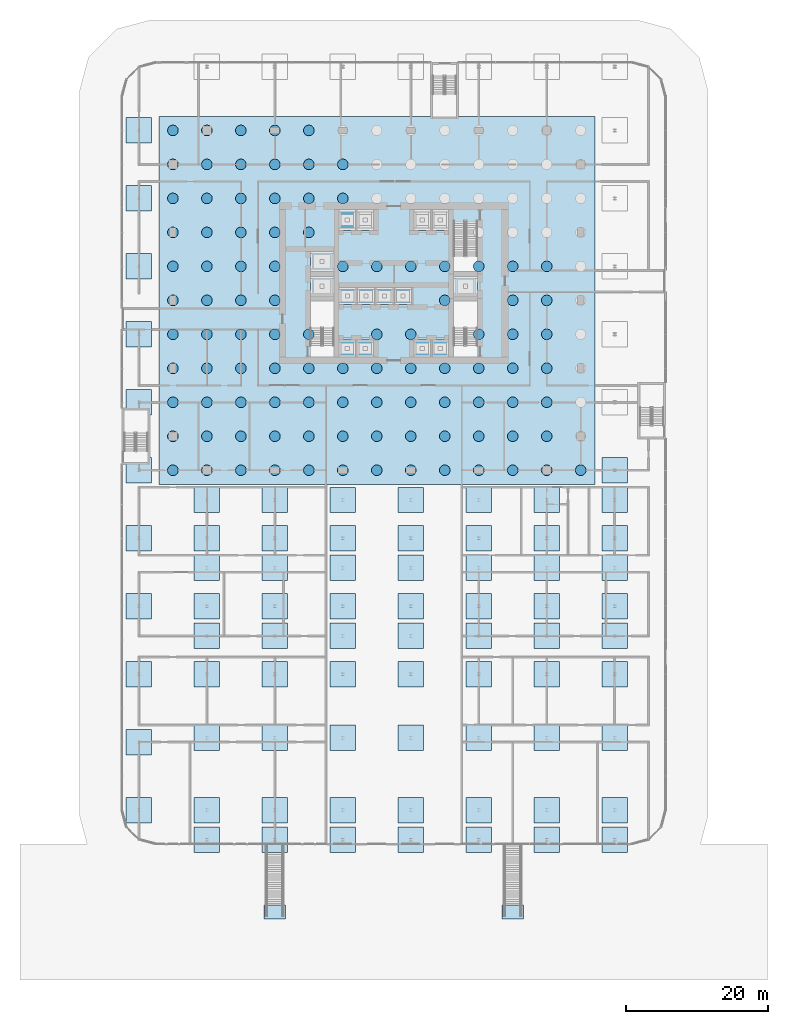
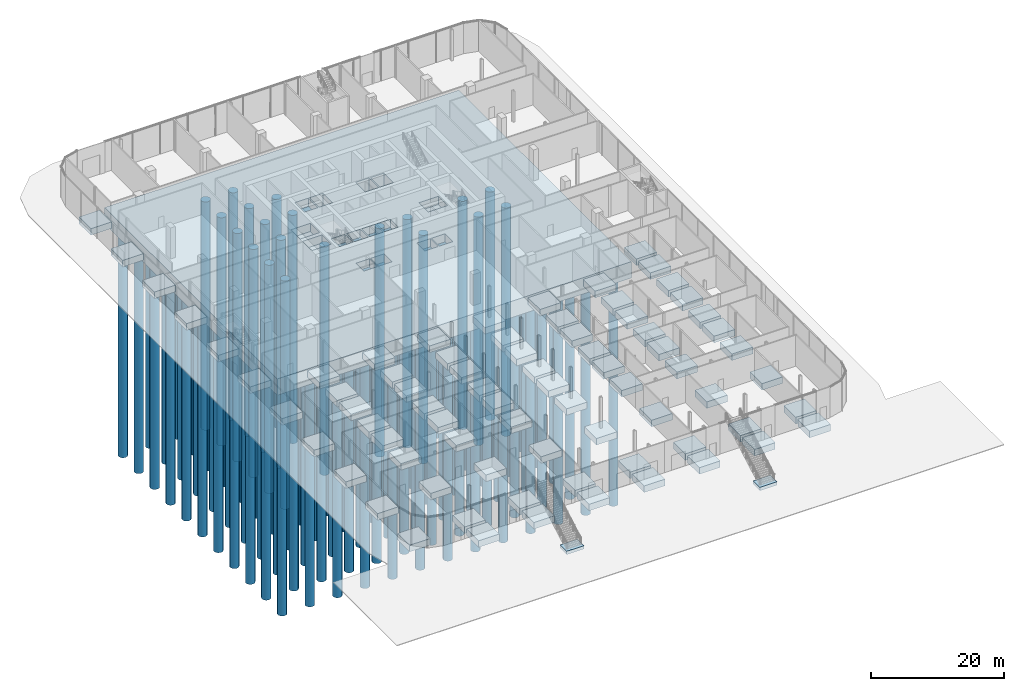
# One storey, part 1 of 44: 99 piles, 90 footings.
"""IFC4 building model written with IfcOpenShell, lengths in metres."""

from ifc_helpers import new_model, si_unit, direction, frame, origin, origin_2d, place, context, subcontext, project, spatial, polyline, rectangle, circle, outline, extrude, material, layer, layer_set, material_profile, profile_set, type_object, element, save


model = new_model("IFC4")

# Units and contexts
model_context = context("Model", 3, precision=1e-05, world=origin(), true_north=direction((0.0, 1.0)))
body_context = subcontext(model_context, "Body", "Model", "MODEL_VIEW")
ifc_project = project(units=[si_unit("LENGTHUNIT", "METRE"), si_unit("AREAUNIT", "SQUARE_METRE"), si_unit("VOLUMEUNIT", "CUBIC_METRE"), si_unit("PLANEANGLEUNIT", "RADIAN"), si_unit("MASSUNIT", "GRAM", prefix="KILO")], contexts=[model_context])

# Site, building, storey
site_placement = place(None, origin())
site = spatial("IfcSite", under=ifc_project, at=site_placement, CompositionType="ELEMENT")
building_placement = place(site_placement, origin())
building = spatial("IfcBuilding", under=site, at=building_placement, Name="Madar Terraces", CompositionType="ELEMENT")
storey_placement = place(building_placement, origin())
storey = spatial("IfcBuildingStorey", under=building, at=storey_placement, Name="L00", CompositionType="ELEMENT", Elevation=0.0)

# Piles
ifc_material_1 = material(Name="Concrete C40/50", Category="concrete")
ifc_material_profile = material_profile(ifc_material_1, circle(Radius=0.75, at=origin_2d()), Name="BP1 bored pile 1500")
ifc_profile_set = profile_set([ifc_material_profile], Name="Concrete C40/50")
pile_type = type_object("IfcPileType", Name="BP1 bored pile 1500", PredefinedType="BORED", material=ifc_profile_set)
for number, where, z_axis, x_axis, name in (
    (1, (0.0, 0.0, -3.300048828125), (0.0, 0.0, -1.0), (1.0, 0.0, 0.0), "Bored pile"),
    (2, (4.800048828125, 0.0, -3.300048828125), (0.0, 0.0, -1.0), (1.0, 0.0, 0.0), "Bored pile"),
    (3, (9.60009765625, 0.0, -3.300048828125), (0.0, 0.0, -1.0), (1.0, 0.0, 0.0), "Bored pile"),
    (4, (14.39990234375, 0.0, -3.300048828125), (0.0, 0.0, -1.0), (1.0, 0.0, 0.0), "Bored pile"),
    (5, (19.199951171875, 0.0, -3.300048828125), (0.0, 0.0, -1.0), (1.0, 0.0, 0.0), "Bored pile"),
    (6, (24.0, 0.0, -3.300048828125), (0.0, 0.0, -1.0), (1.0, 0.0, 0.0), "Bored pile"),
    (7, (28.800048828125, 0.0, -3.300048828125), (0.0, 0.0, -1.0), (1.0, 0.0, 0.0), "Bored pile"),
    (8, (33.60009765625, 0.0, -3.300048828125), (0.0, 0.0, -1.0), (1.0, 0.0, 0.0), "Bored pile"),
    (9, (38.39990234375, 0.0, -3.300048828125), (0.0, 0.0, -1.0), (1.0, 0.0, 0.0), "Bored pile"),
    (10, (43.199951171875, 0.0, -3.300048828125), (0.0, 0.0, -1.0), (1.0, 0.0, 0.0), "Bored pile"),
    (11, (48.0, 0.0, -3.300048828125), (0.0, 0.0, -1.0), (1.0, 0.0, 0.0), "Bored pile"),
    (12, (52.800048828125, 0.0, -3.300048828125), (0.0, 0.0, -1.0), (1.0, 0.0, 0.0), "Bored pile"),
    (13, (57.60009765625, 0.0, -3.300048828125), (0.0, 0.0, -1.0), (1.0, 0.0, 0.0), "Bored pile"),
    (14, (0.0, 4.800048828125, -3.300048828125), (0.0, 0.0, -1.0), (1.0, 0.0, 0.0), "Bored pile"),
    (15, (4.800048828125, 4.800048828125, -3.300048828125), (0.0, 0.0, -1.0), (1.0, 0.0, 0.0), "Bored pile"),
    (16, (9.60009765625, 4.800048828125, -3.300048828125), (0.0, 0.0, -1.0), (1.0, 0.0, 0.0), "Bored pile"),
    (17, (14.39990234375, 4.800048828125, -3.300048828125), (0.0, 0.0, -1.0), (1.0, 0.0, 0.0), "Bored pile"),
    (18, (19.199951171875, 4.800048828125, -3.300048828125), (0.0, 0.0, -1.0), (1.0, 0.0, 0.0), "Bored pile"),
    (19, (24.0, 4.800048828125, -3.300048828125), (0.0, 0.0, -1.0), (1.0, 0.0, 0.0), "Bored pile"),
    (20, (28.800048828125, 4.800048828125, -3.300048828125), (0.0, 0.0, -1.0), (1.0, 0.0, 0.0), "Bored pile"),
    (21, (33.60009765625, 4.800048828125, -3.300048828125), (0.0, 0.0, -1.0), (1.0, 0.0, 0.0), "Bored pile"),
    (22, (38.39990234375, 4.800048828125, -3.300048828125), (0.0, 0.0, -1.0), (1.0, 0.0, 0.0), "Bored pile"),
    (23, (43.199951171875, 4.800048828125, -3.300048828125), (0.0, 0.0, -1.0), (1.0, 0.0, 0.0), "Bored pile"),
    (24, (48.0, 4.800048828125, -3.300048828125), (0.0, 0.0, -1.0), (1.0, 0.0, 0.0), "Bored pile"),
    (25, (52.800048828125, 4.800048828125, -3.300048828125), (0.0, 0.0, -1.0), (1.0, 0.0, 0.0), "Bored pile"),
    (26, (0.0, 9.60009765625, -3.300048828125), (0.0, 0.0, -1.0), (1.0, 0.0, 0.0), "Bored pile"),
    (27, (4.800048828125, 9.60009765625, -3.300048828125), (0.0, 0.0, -1.0), (1.0, 0.0, 0.0), "Bored pile"),
    (28, (9.60009765625, 9.60009765625, -3.300048828125), (0.0, 0.0, -1.0), (1.0, 0.0, 0.0), "Bored pile"),
    (29, (14.39990234375, 9.60009765625, -3.300048828125), (0.0, 0.0, -1.0), (1.0, 0.0, 0.0), "Bored pile"),
    (30, (19.199951171875, 9.60009765625, -3.300048828125), (0.0, 0.0, -1.0), (1.0, 0.0, 0.0), "Bored pile"),
    (31, (24.0, 9.60009765625, -3.300048828125), (0.0, 0.0, -1.0), (1.0, 0.0, 0.0), "Bored pile"),
    (32, (28.800048828125, 9.60009765625, -3.300048828125), (0.0, 0.0, -1.0), (1.0, 0.0, 0.0), "Bored pile"),
    (33, (33.60009765625, 9.60009765625, -3.300048828125), (0.0, 0.0, -1.0), (1.0, 0.0, 0.0), "Bored pile"),
    (34, (38.39990234375, 9.60009765625, -3.300048828125), (0.0, 0.0, -1.0), (1.0, 0.0, 0.0), "Bored pile"),
    (35, (43.199951171875, 9.60009765625, -3.300048828125), (0.0, 0.0, -1.0), (1.0, 0.0, 0.0), "Bored pile"),
    (36, (48.0, 9.60009765625, -3.300048828125), (0.0, 0.0, -1.0), (1.0, 0.0, 0.0), "Bored pile"),
    (37, (52.800048828125, 9.60009765625, -3.300048828125), (0.0, 0.0, -1.0), (1.0, 0.0, 0.0), "Bored pile"),
    (38, (0.0, 14.39990234375, -3.300048828125), (0.0, 0.0, -1.0), (1.0, 0.0, 0.0), "Bored pile"),
    (39, (4.800048828125, 14.39990234375, -3.300048828125), (0.0, 0.0, -1.0), (1.0, 0.0, 0.0), "Bored pile"),
    (40, (9.60009765625, 14.39990234375, -3.300048828125), (0.0, 0.0, -1.0), (1.0, 0.0, 0.0), "Bored pile"),
    (41, (14.39990234375, 14.39990234375, -3.300048828125), (0.0, 0.0, -1.0), (1.0, 0.0, 0.0), "Bored pile"),
    (42, (19.199951171875, 14.39990234375, -3.300048828125), (0.0, 0.0, -1.0), (1.0, 0.0, 0.0), "Bored pile"),
    (43, (24.0, 14.39990234375, -3.300048828125), (0.0, 0.0, -1.0), (1.0, 0.0, 0.0), "Bored pile"),
    (44, (28.800048828125, 14.39990234375, -3.300048828125), (0.0, 0.0, -1.0), (1.0, 0.0, 0.0), "Bored pile"),
    (45, (33.60009765625, 14.39990234375, -3.300048828125), (0.0, 0.0, -1.0), (1.0, 0.0, 0.0), "Bored pile"),
    (46, (38.39990234375, 14.39990234375, -3.300048828125), (0.0, 0.0, -1.0), (1.0, 0.0, 0.0), "Bored pile"),
    (47, (43.199951171875, 14.39990234375, -3.300048828125), (0.0, 0.0, -1.0), (1.0, 0.0, 0.0), "Bored pile"),
    (48, (48.0, 14.39990234375, -3.300048828125), (0.0, 0.0, -1.0), (1.0, 0.0, 0.0), "Bored pile"),
    (49, (52.800048828125, 14.39990234375, -3.300048828125), (0.0, 0.0, -1.0), (1.0, 0.0, 0.0), "Bored pile"),
    (50, (0.0, 19.199951171875, -3.300048828125), (0.0, 0.0, -1.0), (1.0, 0.0, 0.0), "Bored pile"),
    (51, (4.800048828125, 19.199951171875, -3.300048828125), (0.0, 0.0, -1.0), (1.0, 0.0, 0.0), "Bored pile"),
    (52, (9.60009765625, 19.199951171875, -3.300048828125), (0.0, 0.0, -1.0), (1.0, 0.0, 0.0), "Bored pile"),
    (53, (14.39990234375, 19.199951171875, -3.300048828125), (0.0, 0.0, -1.0), (1.0, 0.0, 0.0), "Bored pile"),
    (54, (19.199951171875, 19.199951171875, -3.300048828125), (0.0, 0.0, -1.0), (1.0, 0.0, 0.0), "Bored pile"),
    (55, (28.800048828125, 19.199951171875, -3.300048828125), (0.0, 0.0, -1.0), (1.0, 0.0, 0.0), "Bored pile"),
    (56, (33.60009765625, 19.199951171875, -3.300048828125), (0.0, 0.0, -1.0), (1.0, 0.0, 0.0), "Bored pile"),
    (57, (43.199951171875, 19.199951171875, -3.300048828125), (0.0, 0.0, -1.0), (1.0, 0.0, 0.0), "Bored pile"),
    (58, (48.0, 19.199951171875, -3.300048828125), (0.0, 0.0, -1.0), (1.0, 0.0, 0.0), "Bored pile"),
    (59, (52.800048828125, 19.199951171875, -3.300048828125), (0.0, 0.0, -1.0), (1.0, 0.0, 0.0), "Bored pile"),
    (60, (0.0, 24.0, -3.300048828125), (0.0, 0.0, -1.0), (1.0, 0.0, 0.0), "Bored pile"),
    (61, (4.800048828125, 24.0, -3.300048828125), (0.0, 0.0, -1.0), (1.0, 0.0, 0.0), "Bored pile"),
    (62, (9.60009765625, 24.0, -3.300048828125), (0.0, 0.0, -1.0), (1.0, 0.0, 0.0), "Bored pile"),
    (63, (14.39990234375, 24.0, -3.300048828125), (0.0, 0.0, -1.0), (1.0, 0.0, 0.0), "Bored pile"),
    (64, (38.39990234375, 24.0, -3.300048828125), (0.0, 0.0, -1.0), (1.0, 0.0, 0.0), "Bored pile"),
    (65, (48.0, 24.0, -3.300048828125), (0.0, 0.0, -1.0), (1.0, 0.0, 0.0), "Bored pile"),
    (66, (52.800048828125, 24.0, -3.300048828125), (0.0, 0.0, -1.0), (1.0, 0.0, 0.0), "Bored pile"),
    (67, (0.0, 28.800048828125, -3.300048828125), (0.0, 0.0, -1.0), (1.0, 0.0, 0.0), "Bored pile"),
    (68, (4.800048828125, 28.800048828125, -3.300048828125), (0.0, 0.0, -1.0), (1.0, 0.0, 0.0), "Bored pile"),
    (69, (9.60009765625, 28.800048828125, -3.300048828125), (0.0, 0.0, -1.0), (1.0, 0.0, 0.0), "Bored pile"),
    (70, (14.39990234375, 28.800048828125, -3.300048828125), (0.0, 0.0, -1.0), (1.0, 0.0, 0.0), "Bored pile"),
    (71, (24.0, 28.800048828125, -3.300048828125), (0.0, 0.0, -1.0), (1.0, 0.0, 0.0), "Bored pile"),
    (72, (28.800048828125, 28.800048828125, -3.300048828125), (0.0, 0.0, -1.0), (1.0, 0.0, 0.0), "Bored pile"),
    (73, (33.60009765625, 28.800048828125, -3.300048828125), (0.0, 0.0, -1.0), (1.0, 0.0, 0.0), "Bored pile"),
    (74, (38.39990234375, 28.800048828125, -3.300048828125), (0.0, 0.0, -1.0), (1.0, 0.0, 0.0), "Bored pile"),
    (75, (43.199951171875, 28.800048828125, -3.300048828125), (0.0, 0.0, -1.0), (1.0, 0.0, 0.0), "Bored pile"),
    (76, (48.0, 28.800048828125, -3.300048828125), (0.0, 0.0, -1.0), (1.0, 0.0, 0.0), "Bored pile"),
    (77, (52.800048828125, 28.800048828125, -3.300048828125), (0.0, 0.0, -1.0), (1.0, 0.0, 0.0), "Bored pile"),
    (78, (0.0, 33.60009765625, -3.300048828125), (0.0, 0.0, -1.0), (1.0, 0.0, 0.0), "Bored pile"),
    (79, (4.800048828125, 33.60009765625, -3.300048828125), (0.0, 0.0, -1.0), (1.0, 0.0, 0.0), "Bored pile"),
    (80, (9.60009765625, 33.60009765625, -3.300048828125), (0.0, 0.0, -1.0), (1.0, 0.0, 0.0), "Bored pile"),
    (81, (14.39990234375, 33.60009765625, -3.300048828125), (0.0, 0.0, -1.0), (1.0, 0.0, 0.0), "Bored pile"),
    (82, (19.199951171875, 33.60009765625, -3.300048828125), (0.0, 0.0, -1.0), (1.0, 0.0, 0.0), "Bored pile"),
    (83, (0.0, 38.39990234375, -3.300048828125), (0.0, 0.0, -1.0), (1.0, 0.0, 0.0), "Bored pile"),
    (84, (4.800048828125, 38.39990234375, -3.300048828125), (0.0, 0.0, -1.0), (1.0, 0.0, 0.0), "Bored pile"),
    (85, (9.60009765625, 38.39990234375, -3.300048828125), (0.0, 0.0, -1.0), (1.0, 0.0, 0.0), "Bored pile"),
    (86, (14.39990234375, 38.39990234375, -3.300048828125), (0.0, 0.0, -1.0), (1.0, 0.0, 0.0), "Bored pile"),
    (87, (19.199951171875, 38.39990234375, -3.300048828125), (0.0, 0.0, -1.0), (1.0, 0.0, 0.0), "Bored pile"),
    (88, (24.0, 38.39990234375, -3.300048828125), (0.0, 0.0, -1.0), (1.0, 0.0, 0.0), "Bored pile"),
    (89, (0.0, 43.199951171875, -3.300048828125), (0.0, 0.0, -1.0), (1.0, 0.0, 0.0), "Bored pile"),
    (90, (4.800048828125, 43.199951171875, -3.300048828125), (0.0, 0.0, -1.0), (1.0, 0.0, 0.0), "Bored pile"),
    (91, (9.60009765625, 43.199951171875, -3.300048828125), (0.0, 0.0, -1.0), (1.0, 0.0, 0.0), "Bored pile"),
    (92, (14.39990234375, 43.199951171875, -3.300048828125), (0.0, 0.0, -1.0), (1.0, 0.0, 0.0), "Bored pile"),
    (93, (19.199951171875, 43.199951171875, -3.300048828125), (0.0, 0.0, -1.0), (1.0, 0.0, 0.0), "Bored pile"),
    (94, (24.0, 43.199951171875, -3.300048828125), (0.0, 0.0, -1.0), (1.0, 0.0, 0.0), "Bored pile"),
    (95, (0.0, 48.0, -3.300048828125), (0.0, 0.0, -1.0), (1.0, 0.0, 0.0), "Bored pile"),
    (96, (4.800048828125, 48.0, -3.300048828125), (0.0, 0.0, -1.0), (1.0, 0.0, 0.0), "Bored pile"),
    (97, (9.60009765625, 48.0, -3.300048828125), (0.0, 0.0, -1.0), (1.0, 0.0, 0.0), "Bored pile"),
    (98, (14.39990234375, 48.0, -3.300048828125), (0.0, 0.0, -1.0), (1.0, 0.0, 0.0), "Bored pile"),
    (99, (19.199951171875, 48.0, -3.300048828125), (0.0, 0.0, -1.0), (1.0, 0.0, 0.0), "Bored pile"),
):
    element("IfcPile", number, at=place(storey_placement, frame(where, z_axis=z_axis, x_axis=x_axis)), inside=storey, type_object=pile_type, Name=name, PredefinedType="BORED", context=body_context, shape_type="SweptSolid", body=[
        extrude(circle(Radius=0.75, at=origin_2d()), origin(), (0.0, 0.0, 1.0), 42.0),
    ])

# Footings
ifc_material_2 = material(Name="Concrete C30/37", Category="concrete")
footing_type_1 = type_object("IfcFootingType", Name="Cascade stair base footing 3000 x 2000", PredefinedType="PAD_FOOTING", material=ifc_material_2)
footing_1_placement = place(storey_placement, frame((0.0, 0.0, -0.60009765625)))
element("IfcFooting", 100, at=footing_1_placement, inside=storey, type_object=footing_type_1, Name="Cascade stair base footing", PredefinedType="PAD_FOOTING", context=body_context, shape_type="SweptSolid", body=[
    extrude(outline(polyline([(15.89990234375, -63.39990234375), (15.89990234375, -61.39990234375), (12.89990234375, -61.39990234375), (12.89990234375, -63.39990234375), (15.89990234375, -63.39990234375)])), origin(), (0.0, 0.0, 1.0), 0.60009765625),
])
footing_2_placement = place(storey_placement, frame((0.0, 0.0, -0.60009765625)))
element("IfcFooting", 101, at=footing_2_placement, inside=storey, type_object=footing_type_1, Name="Cascade stair base footing", PredefinedType="PAD_FOOTING", context=body_context, shape_type="SweptSolid", body=[
    extrude(outline(polyline([(49.5, -63.39990234375), (49.5, -61.39990234375), (46.5, -61.39990234375), (46.5, -63.39990234375), (49.5, -63.39990234375)])), origin(), (0.0, 0.0, 1.0), 0.60009765625),
])
ifc_material_3 = material(Name="Concrete C40/50", Category="concrete")
ifc_layer_1 = layer(ifc_material_3, 1.5)
ifc_layer_set_1 = layer_set([ifc_layer_1], Name="Lift pit footing C40/50")
footing_type_2 = type_object("IfcFootingType", Name="Lift pit footing C40/50", PredefinedType="PAD_FOOTING", material=ifc_layer_set_1)
footing_3_placement = place(storey_placement, frame((0.0, 0.0, -3.300048828125)))
element("IfcFooting", 102, at=footing_3_placement, inside=storey, type_object=footing_type_2, Name="LIFT PIT FOOTING", PredefinedType="PAD_FOOTING", context=body_context, shape_type="SweptSolid", body=[
    extrude(outline(polyline([(23.449951171875, 16.0), (25.800048828125, 16.0), (25.800048828125, 18.39990234375), (23.449951171875, 18.39990234375), (23.449951171875, 16.0)])), origin(), (0.0, 0.0, 1.0), 1.5),
])
footing_4_placement = place(storey_placement, frame((0.0, 0.0, -3.300048828125)))
element("IfcFooting", 103, at=footing_4_placement, inside=storey, type_object=footing_type_2, Name="LIFT PIT FOOTING", PredefinedType="PAD_FOOTING", context=body_context, shape_type="SweptSolid", body=[
    extrude(outline(polyline([(26.0, 16.0), (28.35009765625, 16.0), (28.35009765625, 18.39990234375), (26.0, 18.39990234375), (26.0, 16.0)])), origin(), (0.0, 0.0, 1.0), 1.5),
])
footing_5_placement = place(storey_placement, frame((0.0, 0.0, -3.300048828125)))
element("IfcFooting", 104, at=footing_5_placement, inside=storey, type_object=footing_type_2, Name="LIFT PIT FOOTING", PredefinedType="PAD_FOOTING", context=body_context, shape_type="SweptSolid", body=[
    extrude(outline(polyline([(34.050048828125, 16.0), (36.39990234375, 16.0), (36.39990234375, 18.39990234375), (34.050048828125, 18.39990234375), (34.050048828125, 16.0)])), origin(), (0.0, 0.0, 1.0), 1.5),
])
footing_6_placement = place(storey_placement, frame((0.0, 0.0, -3.300048828125)))
element("IfcFooting", 105, at=footing_6_placement, inside=storey, type_object=footing_type_2, Name="LIFT PIT FOOTING", PredefinedType="PAD_FOOTING", context=body_context, shape_type="SweptSolid", body=[
    extrude(outline(polyline([(36.60009765625, 16.0), (38.949951171875, 16.0), (38.949951171875, 18.39990234375), (36.60009765625, 18.39990234375), (36.60009765625, 16.0)])), origin(), (0.0, 0.0, 1.0), 1.5),
])
footing_7_placement = place(storey_placement, frame((0.0, 0.0, -3.300048828125)))
element("IfcFooting", 106, at=footing_7_placement, inside=storey, type_object=footing_type_2, Name="LIFT PIT FOOTING", PredefinedType="PAD_FOOTING", context=body_context, shape_type="SweptSolid", body=[
    extrude(outline(polyline([(23.449951171875, 23.39990234375), (25.86669921875, 23.39990234375), (25.86669921875, 25.800048828125), (23.449951171875, 25.800048828125), (23.449951171875, 23.39990234375)])), origin(), (0.0, 0.0, 1.0), 1.5),
])
footing_8_placement = place(storey_placement, frame((0.0, 0.0, -3.300048828125)))
element("IfcFooting", 107, at=footing_8_placement, inside=storey, type_object=footing_type_2, Name="LIFT PIT FOOTING", PredefinedType="PAD_FOOTING", context=body_context, shape_type="SweptSolid", body=[
    extrude(outline(polyline([(26.066650390625, 23.39990234375), (28.4833984375, 23.39990234375), (28.4833984375, 25.800048828125), (26.066650390625, 25.800048828125), (26.066650390625, 23.39990234375)])), origin(), (0.0, 0.0, 1.0), 1.5),
])
footing_9_placement = place(storey_placement, frame((0.0, 0.0, -3.300048828125)))
element("IfcFooting", 108, at=footing_9_placement, inside=storey, type_object=footing_type_2, Name="LIFT PIT FOOTING", PredefinedType="PAD_FOOTING", context=body_context, shape_type="SweptSolid", body=[
    extrude(outline(polyline([(23.449951171875, 33.89990234375), (25.800048828125, 33.89990234375), (25.800048828125, 36.800048828125), (23.449951171875, 36.800048828125), (23.449951171875, 33.89990234375)])), origin(), (0.0, 0.0, 1.0), 1.5),
])
footing_10_placement = place(storey_placement, frame((0.0, 0.0, -3.300048828125)))
element("IfcFooting", 109, at=footing_10_placement, inside=storey, type_object=footing_type_2, Name="LIFT PIT FOOTING", PredefinedType="PAD_FOOTING", context=body_context, shape_type="SweptSolid", body=[
    extrude(outline(polyline([(28.683349609375, 23.39990234375), (31.10009765625, 23.39990234375), (31.10009765625, 25.800048828125), (28.683349609375, 25.800048828125), (28.683349609375, 23.39990234375)])), origin(), (0.0, 0.0, 1.0), 1.5),
])
footing_11_placement = place(storey_placement, frame((0.0, 0.0, -3.300048828125)))
element("IfcFooting", 110, at=footing_11_placement, inside=storey, type_object=footing_type_2, Name="LIFT PIT FOOTING", PredefinedType="PAD_FOOTING", context=body_context, shape_type="SweptSolid", body=[
    extrude(outline(polyline([(31.300048828125, 23.39990234375), (33.716552734375, 23.39990234375), (33.716552734375, 25.800048828125), (31.300048828125, 25.800048828125), (31.300048828125, 23.39990234375)])), origin(), (0.0, 0.0, 1.0), 1.5),
])
footing_12_placement = place(storey_placement, frame((0.0, 0.0, -3.300048828125)))
element("IfcFooting", 111, at=footing_12_placement, inside=storey, type_object=footing_type_2, Name="LIFT PIT FOOTING", PredefinedType="PAD_FOOTING", context=body_context, shape_type="SweptSolid", body=[
    extrude(outline(polyline([(19.39990234375, 24.60009765625), (22.75, 24.60009765625), (22.75, 27.39990234375), (19.39990234375, 27.39990234375), (19.39990234375, 24.60009765625)])), origin(), (0.0, 0.0, 1.0), 1.5),
])
footing_13_placement = place(storey_placement, frame((0.0, 0.0, -3.300048828125)))
element("IfcFooting", 112, at=footing_13_placement, inside=storey, type_object=footing_type_2, Name="LIFT PIT FOOTING", PredefinedType="PAD_FOOTING", context=body_context, shape_type="SweptSolid", body=[
    extrude(outline(polyline([(19.39990234375, 28.10009765625), (22.75, 28.10009765625), (22.75, 30.89990234375), (19.39990234375, 30.89990234375), (19.39990234375, 28.10009765625)])), origin(), (0.0, 0.0, 1.0), 1.5),
])
footing_14_placement = place(storey_placement, frame((0.0, 0.0, -3.300048828125)))
element("IfcFooting", 113, at=footing_14_placement, inside=storey, type_object=footing_type_2, Name="LIFT PIT FOOTING", PredefinedType="PAD_FOOTING", context=body_context, shape_type="SweptSolid", body=[
    extrude(outline(polyline([(39.64990234375, 24.60009765625), (43.0, 24.60009765625), (43.0, 27.39990234375), (39.64990234375, 27.39990234375), (39.64990234375, 24.60009765625)])), origin(), (0.0, 0.0, 1.0), 1.5),
])
ifc_material_4 = material(Name="Concrete C40/50", Category="concrete")
footing_type_3 = type_object("IfcFootingType", Name="PD1 spread pad 3600", PredefinedType="PAD_FOOTING", material=ifc_material_4)
for number, where, z_axis, x_axis, name in (
    (114, (-4.800048828125, -48.0, -1.5), (0.0, 0.0, 1.0), (1.0, 0.0, 0.0), "Spread pad under podium column"),
    (115, (-4.800048828125, -38.39990234375, -1.5), (0.0, 0.0, 1.0), (1.0, 0.0, 0.0), "Spread pad under podium column"),
    (116, (-4.800048828125, -28.800048828125, -1.5), (0.0, 0.0, 1.0), (1.0, 0.0, 0.0), "Spread pad under podium column"),
    (117, (-4.800048828125, -19.199951171875, -1.5), (0.0, 0.0, 1.0), (1.0, 0.0, 0.0), "Spread pad under podium column"),
    (118, (-4.800048828125, -9.60009765625, -1.5), (0.0, 0.0, 1.0), (1.0, 0.0, 0.0), "Spread pad under podium column"),
    (119, (-4.800048828125, 0.0, -1.5), (0.0, 0.0, 1.0), (1.0, 0.0, 0.0), "Spread pad under podium column"),
    (120, (-4.800048828125, 9.60009765625, -1.5), (0.0, 0.0, 1.0), (1.0, 0.0, 0.0), "Spread pad under podium column"),
    (121, (-4.800048828125, 19.199951171875, -1.5), (0.0, 0.0, 1.0), (1.0, 0.0, 0.0), "Spread pad under podium column"),
    (122, (-4.800048828125, 28.800048828125, -1.5), (0.0, 0.0, 1.0), (1.0, 0.0, 0.0), "Spread pad under podium column"),
    (123, (-4.800048828125, 38.39990234375, -1.5), (0.0, 0.0, 1.0), (1.0, 0.0, 0.0), "Spread pad under podium column"),
    (124, (-4.800048828125, 48.0, -1.5), (0.0, 0.0, 1.0), (1.0, 0.0, 0.0), "Spread pad under podium column"),
    (125, (4.800048828125, -52.199951171875, -1.5), (0.0, 0.0, 1.0), (1.0, 0.0, 0.0), "Spread pad under podium column"),
    (126, (4.800048828125, -48.0, -1.5), (0.0, 0.0, 1.0), (1.0, 0.0, 0.0), "Spread pad under podium column"),
    (127, (4.800048828125, -37.800048828125, -1.5), (0.0, 0.0, 1.0), (1.0, 0.0, 0.0), "Spread pad under podium column"),
    (128, (4.800048828125, -28.800048828125, -1.5), (0.0, 0.0, 1.0), (1.0, 0.0, 0.0), "Spread pad under podium column"),
    (129, (4.800048828125, -23.39990234375, -1.5), (0.0, 0.0, 1.0), (1.0, 0.0, 0.0), "Spread pad under podium column"),
    (130, (4.800048828125, -19.199951171875, -1.5), (0.0, 0.0, 1.0), (1.0, 0.0, 0.0), "Spread pad under podium column"),
    (131, (4.800048828125, -13.800048828125, -1.5), (0.0, 0.0, 1.0), (1.0, 0.0, 0.0), "Spread pad under podium column"),
    (132, (4.800048828125, -9.60009765625, -1.5), (0.0, 0.0, 1.0), (1.0, 0.0, 0.0), "Spread pad under podium column"),
    (133, (4.800048828125, -4.199951171875, -1.5), (0.0, 0.0, 1.0), (1.0, 0.0, 0.0), "Spread pad under podium column"),
    (134, (14.39990234375, -52.199951171875, -1.5), (0.0, 0.0, 1.0), (1.0, 0.0, 0.0), "Spread pad under podium column"),
    (135, (14.39990234375, -48.0, -1.5), (0.0, 0.0, 1.0), (1.0, 0.0, 0.0), "Spread pad under podium column"),
    (136, (14.39990234375, -37.800048828125, -1.5), (0.0, 0.0, 1.0), (1.0, 0.0, 0.0), "Spread pad under podium column"),
    (137, (14.39990234375, -28.800048828125, -1.5), (0.0, 0.0, 1.0), (1.0, 0.0, 0.0), "Spread pad under podium column"),
    (138, (14.39990234375, -23.39990234375, -1.5), (0.0, 0.0, 1.0), (1.0, 0.0, 0.0), "Spread pad under podium column"),
    (139, (14.39990234375, -19.199951171875, -1.5), (0.0, 0.0, 1.0), (1.0, 0.0, 0.0), "Spread pad under podium column"),
    (140, (14.39990234375, -13.800048828125, -1.5), (0.0, 0.0, 1.0), (1.0, 0.0, 0.0), "Spread pad under podium column"),
    (141, (14.39990234375, -9.60009765625, -1.5), (0.0, 0.0, 1.0), (1.0, 0.0, 0.0), "Spread pad under podium column"),
    (142, (14.39990234375, -4.199951171875, -1.5), (0.0, 0.0, 1.0), (1.0, 0.0, 0.0), "Spread pad under podium column"),
    (143, (24.0, -52.199951171875, -1.5), (0.0, 0.0, 1.0), (1.0, 0.0, 0.0), "Spread pad under podium column"),
    (144, (24.0, -48.0, -1.5), (0.0, 0.0, 1.0), (1.0, 0.0, 0.0), "Spread pad under podium column"),
    (145, (24.0, -37.800048828125, -1.5), (0.0, 0.0, 1.0), (1.0, 0.0, 0.0), "Spread pad under podium column"),
    (146, (24.0, -28.800048828125, -1.5), (0.0, 0.0, 1.0), (1.0, 0.0, 0.0), "Spread pad under podium column"),
    (147, (24.0, -23.39990234375, -1.5), (0.0, 0.0, 1.0), (1.0, 0.0, 0.0), "Spread pad under podium column"),
    (148, (24.0, -19.199951171875, -1.5), (0.0, 0.0, 1.0), (1.0, 0.0, 0.0), "Spread pad under podium column"),
    (149, (24.0, -13.800048828125, -1.5), (0.0, 0.0, 1.0), (1.0, 0.0, 0.0), "Spread pad under podium column"),
    (150, (24.0, -9.60009765625, -1.5), (0.0, 0.0, 1.0), (1.0, 0.0, 0.0), "Spread pad under podium column"),
    (151, (24.0, -4.199951171875, -1.5), (0.0, 0.0, 1.0), (1.0, 0.0, 0.0), "Spread pad under podium column"),
    (152, (33.60009765625, -52.199951171875, -1.5), (0.0, 0.0, 1.0), (1.0, 0.0, 0.0), "Spread pad under podium column"),
    (153, (33.60009765625, -48.0, -1.5), (0.0, 0.0, 1.0), (1.0, 0.0, 0.0), "Spread pad under podium column"),
    (154, (33.60009765625, -37.800048828125, -1.5), (0.0, 0.0, 1.0), (1.0, 0.0, 0.0), "Spread pad under podium column"),
    (155, (33.60009765625, -28.800048828125, -1.5), (0.0, 0.0, 1.0), (1.0, 0.0, 0.0), "Spread pad under podium column"),
    (156, (33.60009765625, -23.39990234375, -1.5), (0.0, 0.0, 1.0), (1.0, 0.0, 0.0), "Spread pad under podium column"),
    (157, (33.60009765625, -19.199951171875, -1.5), (0.0, 0.0, 1.0), (1.0, 0.0, 0.0), "Spread pad under podium column"),
    (158, (33.60009765625, -13.800048828125, -1.5), (0.0, 0.0, 1.0), (1.0, 0.0, 0.0), "Spread pad under podium column"),
    (159, (33.60009765625, -9.60009765625, -1.5), (0.0, 0.0, 1.0), (1.0, 0.0, 0.0), "Spread pad under podium column"),
    (160, (33.60009765625, -4.199951171875, -1.5), (0.0, 0.0, 1.0), (1.0, 0.0, 0.0), "Spread pad under podium column"),
    (161, (43.199951171875, -52.199951171875, -1.5), (0.0, 0.0, 1.0), (1.0, 0.0, 0.0), "Spread pad under podium column"),
    (162, (43.199951171875, -48.0, -1.5), (0.0, 0.0, 1.0), (1.0, 0.0, 0.0), "Spread pad under podium column"),
    (163, (43.199951171875, -37.800048828125, -1.5), (0.0, 0.0, 1.0), (1.0, 0.0, 0.0), "Spread pad under podium column"),
    (164, (43.199951171875, -28.800048828125, -1.5), (0.0, 0.0, 1.0), (1.0, 0.0, 0.0), "Spread pad under podium column"),
    (165, (43.199951171875, -23.39990234375, -1.5), (0.0, 0.0, 1.0), (1.0, 0.0, 0.0), "Spread pad under podium column"),
    (166, (43.199951171875, -19.199951171875, -1.5), (0.0, 0.0, 1.0), (1.0, 0.0, 0.0), "Spread pad under podium column"),
    (167, (43.199951171875, -13.800048828125, -1.5), (0.0, 0.0, 1.0), (1.0, 0.0, 0.0), "Spread pad under podium column"),
    (168, (43.199951171875, -9.60009765625, -1.5), (0.0, 0.0, 1.0), (1.0, 0.0, 0.0), "Spread pad under podium column"),
    (169, (43.199951171875, -4.199951171875, -1.5), (0.0, 0.0, 1.0), (1.0, 0.0, 0.0), "Spread pad under podium column"),
    (170, (52.800048828125, -52.199951171875, -1.5), (0.0, 0.0, 1.0), (1.0, 0.0, 0.0), "Spread pad under podium column"),
    (171, (52.800048828125, -48.0, -1.5), (0.0, 0.0, 1.0), (1.0, 0.0, 0.0), "Spread pad under podium column"),
    (172, (52.800048828125, -37.800048828125, -1.5), (0.0, 0.0, 1.0), (1.0, 0.0, 0.0), "Spread pad under podium column"),
    (173, (52.800048828125, -28.800048828125, -1.5), (0.0, 0.0, 1.0), (1.0, 0.0, 0.0), "Spread pad under podium column"),
    (174, (52.800048828125, -23.39990234375, -1.5), (0.0, 0.0, 1.0), (1.0, 0.0, 0.0), "Spread pad under podium column"),
    (175, (52.800048828125, -19.199951171875, -1.5), (0.0, 0.0, 1.0), (1.0, 0.0, 0.0), "Spread pad under podium column"),
    (176, (52.800048828125, -13.800048828125, -1.5), (0.0, 0.0, 1.0), (1.0, 0.0, 0.0), "Spread pad under podium column"),
    (177, (52.800048828125, -9.60009765625, -1.5), (0.0, 0.0, 1.0), (1.0, 0.0, 0.0), "Spread pad under podium column"),
    (178, (52.800048828125, -4.199951171875, -1.5), (0.0, 0.0, 1.0), (1.0, 0.0, 0.0), "Spread pad under podium column"),
    (179, (62.39990234375, -52.199951171875, -1.5), (0.0, 0.0, 1.0), (1.0, 0.0, 0.0), "Spread pad under podium column"),
    (180, (62.39990234375, -48.0, -1.5), (0.0, 0.0, 1.0), (1.0, 0.0, 0.0), "Spread pad under podium column"),
    (181, (62.39990234375, -37.800048828125, -1.5), (0.0, 0.0, 1.0), (1.0, 0.0, 0.0), "Spread pad under podium column"),
    (182, (62.39990234375, -28.800048828125, -1.5), (0.0, 0.0, 1.0), (1.0, 0.0, 0.0), "Spread pad under podium column"),
    (183, (62.39990234375, -23.39990234375, -1.5), (0.0, 0.0, 1.0), (1.0, 0.0, 0.0), "Spread pad under podium column"),
    (184, (62.39990234375, -19.199951171875, -1.5), (0.0, 0.0, 1.0), (1.0, 0.0, 0.0), "Spread pad under podium column"),
    (185, (62.39990234375, -13.800048828125, -1.5), (0.0, 0.0, 1.0), (1.0, 0.0, 0.0), "Spread pad under podium column"),
    (186, (62.39990234375, -9.60009765625, -1.5), (0.0, 0.0, 1.0), (1.0, 0.0, 0.0), "Spread pad under podium column"),
    (187, (62.39990234375, -4.199951171875, -1.5), (0.0, 0.0, 1.0), (1.0, 0.0, 0.0), "Spread pad under podium column"),
    (188, (62.39990234375, 0.0, -1.5), (0.0, 0.0, 1.0), (1.0, 0.0, 0.0), "Spread pad under podium column"),
):
    element("IfcFooting", number, at=place(storey_placement, frame(where, z_axis=z_axis, x_axis=x_axis)), inside=storey, type_object=footing_type_3, Name=name, PredefinedType="PAD_FOOTING", context=body_context, shape_type="SweptSolid", body=[
        extrude(rectangle(XDim=3.60009765625, YDim=3.60009765625, at=origin_2d()), origin(), (0.0, 0.0, 1.0), 1.199951171875),
    ])
ifc_material_5 = material(Name="Concrete C50/60", Category="concrete")
ifc_layer_2 = layer(ifc_material_5, 3.0)
ifc_layer_set_2 = layer_set([ifc_layer_2], Name="RF1 piled raft 3000")
footing_type_4 = type_object("IfcFootingType", Name="RF1 piled raft 3000", PredefinedType="PAD_FOOTING", material=ifc_layer_set_2)
footing_15_placement = place(storey_placement, frame((0.0, 0.0, -3.300048828125)))
element("IfcFooting", 189, at=footing_15_placement, inside=storey, type_object=footing_type_4, Name="Piled raft under the tower and core", PredefinedType="PAD_FOOTING", context=body_context, shape_type="SweptSolid", body=[
    extrude(outline(polyline([(-2.0, -2.0), (59.60009765625, -2.0), (59.60009765625, 50.0), (-2.0, 50.0), (-2.0, -2.0)]), holes=[polyline([(23.449951171875, 16.0), (25.800048828125, 16.0), (25.800048828125, 18.39990234375), (23.449951171875, 18.39990234375), (23.449951171875, 16.0)]), polyline([(26.0, 16.0), (28.35009765625, 16.0), (28.35009765625, 18.39990234375), (26.0, 18.39990234375), (26.0, 16.0)]), polyline([(34.050048828125, 16.0), (36.39990234375, 16.0), (36.39990234375, 18.39990234375), (34.050048828125, 18.39990234375), (34.050048828125, 16.0)]), polyline([(36.60009765625, 16.0), (38.949951171875, 16.0), (38.949951171875, 18.39990234375), (36.60009765625, 18.39990234375), (36.60009765625, 16.0)]), polyline([(23.449951171875, 23.39990234375), (25.86669921875, 23.39990234375), (25.86669921875, 25.800048828125), (23.449951171875, 25.800048828125), (23.449951171875, 23.39990234375)]), polyline([(26.066650390625, 23.39990234375), (28.4833984375, 23.39990234375), (28.4833984375, 25.800048828125), (26.066650390625, 25.800048828125), (26.066650390625, 23.39990234375)]), polyline([(23.449951171875, 33.89990234375), (25.800048828125, 33.89990234375), (25.800048828125, 36.800048828125), (23.449951171875, 36.800048828125), (23.449951171875, 33.89990234375)]), polyline([(26.0, 33.89990234375), (28.35009765625, 33.89990234375), (28.35009765625, 36.800048828125), (26.0, 36.800048828125), (26.0, 33.89990234375)]), polyline([(34.050048828125, 33.89990234375), (36.39990234375, 33.89990234375), (36.39990234375, 36.800048828125), (34.050048828125, 36.800048828125), (34.050048828125, 33.89990234375)]), polyline([(36.60009765625, 33.89990234375), (38.949951171875, 33.89990234375), (38.949951171875, 36.800048828125), (36.60009765625, 36.800048828125), (36.60009765625, 33.89990234375)]), polyline([(28.683349609375, 23.39990234375), (31.10009765625, 23.39990234375), (31.10009765625, 25.800048828125), (28.683349609375, 25.800048828125), (28.683349609375, 23.39990234375)]), polyline([(31.300048828125, 23.39990234375), (33.716552734375, 23.39990234375), (33.716552734375, 25.800048828125), (31.300048828125, 25.800048828125), (31.300048828125, 23.39990234375)]), polyline([(19.39990234375, 24.60009765625), (22.75, 24.60009765625), (22.75, 27.39990234375), (19.39990234375, 27.39990234375), (19.39990234375, 24.60009765625)]), polyline([(19.39990234375, 28.10009765625), (22.75, 28.10009765625), (22.75, 30.89990234375), (19.39990234375, 30.89990234375), (19.39990234375, 28.10009765625)]), polyline([(39.64990234375, 24.60009765625), (43.0, 24.60009765625), (43.0, 27.39990234375), (39.64990234375, 27.39990234375), (39.64990234375, 24.60009765625)])]), origin(), (0.0, 0.0, 1.0), 3.0),
])

save(model, "model.ifc")
